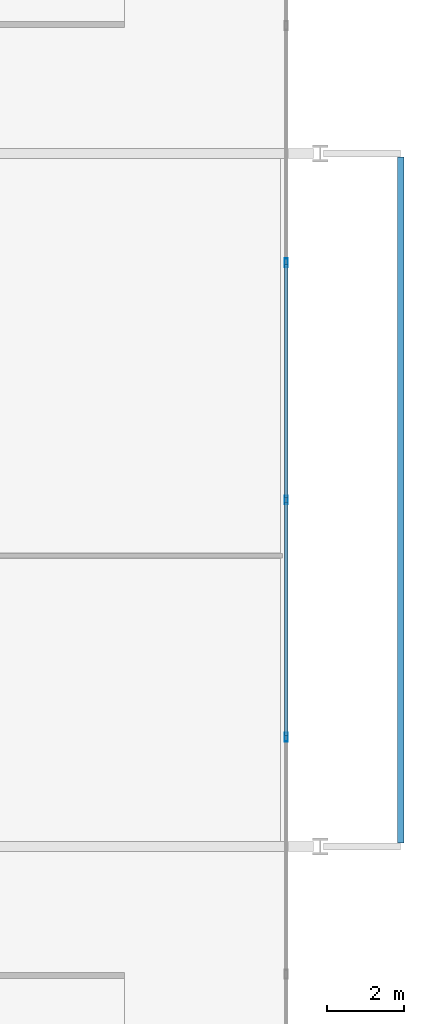
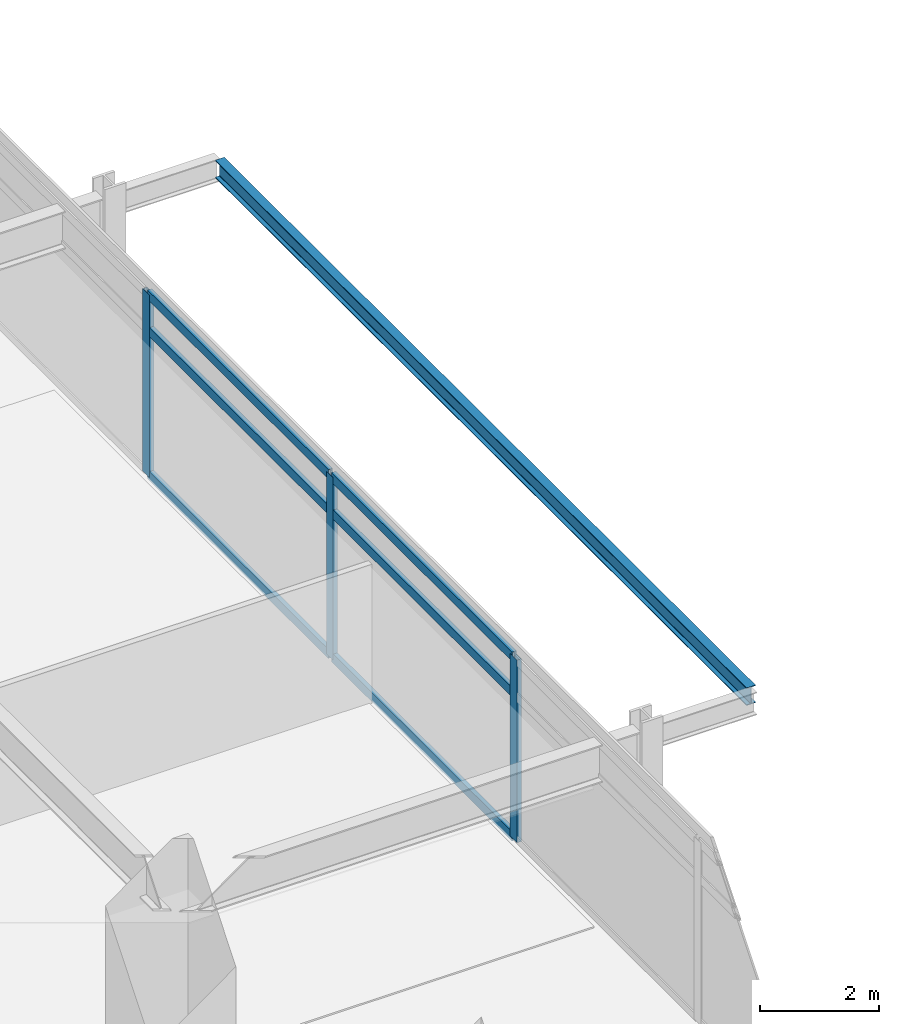
# One storey, part 10 of 23: 9 members, 1 beam, 1 element without a shape of its own.
"""IFC4 building model written with IfcOpenShell, lengths in metres."""

from ifc_helpers import new_model, si_unit, direction, frame, origin, origin_2d, place, context, subcontext, project, spatial, hollow_rectangle, i_section, extrude, material, material_profile, profile_set, type_object, element, aggregate, save


model = new_model("IFC4")

# Units and contexts
model_context = context("Model", 3, precision=1e-05, world=origin(), true_north=direction((0.0, 1.0)))
body_context = subcontext(model_context, "Body", "Model", "MODEL_VIEW")
ifc_project = project(units=[si_unit("LENGTHUNIT", "METRE"), si_unit("AREAUNIT", "SQUARE_METRE"), si_unit("VOLUMEUNIT", "CUBIC_METRE"), si_unit("PLANEANGLEUNIT", "RADIAN"), si_unit("MASSUNIT", "GRAM", prefix="KILO")], contexts=[model_context])

# Site, building, storey
site_placement = place(None, origin())
site = spatial("IfcSite", under=ifc_project, at=site_placement, CompositionType="ELEMENT")
building_placement = place(site_placement, origin())
building = spatial("IfcBuilding", under=site, at=building_placement, Name="Kovane Verandah Tower", CompositionType="ELEMENT")
storey_placement = place(building_placement, frame((0.0, 0.0, 168.39990234375)))
storey = spatial("IfcBuildingStorey", under=building, at=storey_placement, Name="L39", CompositionType="ELEMENT", Elevation=168.39990234375)

# Curtain wall, members
ifc_material_1 = material(Name="Champagne Anodised Aluminium Frame with Low-E Clear Laminated Glass", Category="aluminium")
curtain_wall_type = type_object("IfcCurtainWallType", Name="CW-SYS-03-MID", PredefinedType="NOTDEFINED", material=ifc_material_1)
curtain_wall_placement = place(storey_placement, origin())
curtain_wall = element("IfcCurtainWall", 1, at=curtain_wall_placement, inside=storey, type_object=curtain_wall_type, Name="L39 E Unitised Curtain Wall", PredefinedType="NOTDEFINED")
ifc_material_2 = material(Name="Champagne Anodised Aluminium 6063-T6", Category="aluminium")
ifc_material_profile_1 = material_profile(ifc_material_2, hollow_rectangle(XDim=0.0849609375, YDim=0.22998046875, WallThickness=0.00390625, at=origin_2d()), Name="AL85x230x4")
ifc_profile_set_1 = profile_set([ifc_material_profile_1], Name="Champagne Anodised Aluminium 6063-T6")
member_type_1 = type_object("IfcMemberType", Name="CW-MUL-85x230", PredefinedType="MULLION", material=ifc_profile_set_1)
member_1_placement = place(storey_placement, frame((66.7197265625, 21.33935546875, 0.02001953125), z_axis=(0.0, 0.0, 1.0), x_axis=(1.0, 0.0, 0.0)))
member_1 = element("IfcMember", 2, at=member_1_placement, type_object=member_type_1, Name="L39 E Unitised Curtain Wall Mullion 3", PredefinedType="MULLION", context=body_context, shape_type="SweptSolid", body=[
    extrude(hollow_rectangle(XDim=0.0849609375, YDim=0.22998046875, WallThickness=0.00390625, at=origin_2d()), origin(), (0.0, 0.0, 1.0), 3.735107421875),
])
member_2_placement = place(storey_placement, frame((66.7197265625, 27.5, 0.02001953125), z_axis=(0.0, 0.0, 1.0), x_axis=(1.0, 0.0, 0.0)))
member_2 = element("IfcMember", 3, at=member_2_placement, type_object=member_type_1, Name="L39 E Unitised Curtain Wall Mullion 4", PredefinedType="MULLION", context=body_context, shape_type="SweptSolid", body=[
    extrude(hollow_rectangle(XDim=0.0849609375, YDim=0.22998046875, WallThickness=0.00390625, at=origin_2d()), origin(), (0.0, 0.0, 1.0), 3.735107421875),
])
member_3_placement = place(storey_placement, frame((66.7197265625, 33.66064453125, 0.02001953125), z_axis=(0.0, 0.0, 1.0), x_axis=(1.0, 0.0, 0.0)))
member_3 = element("IfcMember", 4, at=member_3_placement, type_object=member_type_1, Name="L39 E Unitised Curtain Wall Mullion 5", PredefinedType="MULLION", context=body_context, shape_type="SweptSolid", body=[
    extrude(hollow_rectangle(XDim=0.0849609375, YDim=0.22998046875, WallThickness=0.00390625, at=origin_2d()), origin(), (0.0, 0.0, 1.0), 3.735107421875),
])
ifc_material_profile_2 = material_profile(ifc_material_2, hollow_rectangle(XDim=0.0849609375, YDim=0.18994140625, WallThickness=0.00390625, at=origin_2d()), Name="AL85x190x4")
ifc_profile_set_2 = profile_set([ifc_material_profile_2], Name="Champagne Anodised Aluminium 6063-T6")
member_type_2 = type_object("IfcMemberType", Name="CW-TRN-85x190", PredefinedType="USERDEFINED", material=ifc_profile_set_2)
member_4_placement = place(storey_placement, frame((66.7197265625, 21.389404296875, 0.050048828125), z_axis=(0.0, 1.0, 0.0), x_axis=(-1.0, 0.0, 0.0)))
member_4 = element("IfcMember", 5, at=member_4_placement, type_object=member_type_2, Name="L39 E Unitised Curtain Wall Transom TB Bay 3", ObjectType="TRANSOM", PredefinedType="USERDEFINED", context=body_context, shape_type="SweptSolid", body=[
    extrude(hollow_rectangle(XDim=0.0849609375, YDim=0.18994140625, WallThickness=0.00390625, at=origin_2d()), origin(), (0.0, 0.0, 1.0), 6.060546875),
])
member_5_placement = place(storey_placement, frame((66.7197265625, 21.389404296875, 2.9951171875), z_axis=(0.0, 1.0, 0.0), x_axis=(-1.0, 0.0, 0.0)))
member_5 = element("IfcMember", 6, at=member_5_placement, type_object=member_type_2, Name="L39 E Unitised Curtain Wall Transom TM Bay 3", ObjectType="TRANSOM", PredefinedType="USERDEFINED", context=body_context, shape_type="SweptSolid", body=[
    extrude(hollow_rectangle(XDim=0.0849609375, YDim=0.18994140625, WallThickness=0.00390625, at=origin_2d()), origin(), (0.0, 0.0, 1.0), 6.060546875),
])
member_6_placement = place(storey_placement, frame((66.7197265625, 21.389404296875, 3.72509765625), z_axis=(0.0, 1.0, 0.0), x_axis=(-1.0, 0.0, 0.0)))
member_6 = element("IfcMember", 7, at=member_6_placement, type_object=member_type_2, Name="L39 E Unitised Curtain Wall Transom TT Bay 3", ObjectType="TRANSOM", PredefinedType="USERDEFINED", context=body_context, shape_type="SweptSolid", body=[
    extrude(hollow_rectangle(XDim=0.0849609375, YDim=0.18994140625, WallThickness=0.00390625, at=origin_2d()), origin(), (0.0, 0.0, 1.0), 6.060546875),
])
member_7_placement = place(storey_placement, frame((66.7197265625, 27.550048828125, 0.050048828125), z_axis=(0.0, 1.0, 0.0), x_axis=(-1.0, 0.0, 0.0)))
member_7 = element("IfcMember", 8, at=member_7_placement, type_object=member_type_2, Name="L39 E Unitised Curtain Wall Transom TB Bay 4", ObjectType="TRANSOM", PredefinedType="USERDEFINED", context=body_context, shape_type="SweptSolid", body=[
    extrude(hollow_rectangle(XDim=0.0849609375, YDim=0.18994140625, WallThickness=0.00390625, at=origin_2d()), origin(), (0.0, 0.0, 1.0), 6.060546875),
])
member_8_placement = place(storey_placement, frame((66.7197265625, 27.550048828125, 2.9951171875), z_axis=(0.0, 1.0, 0.0), x_axis=(-1.0, 0.0, 0.0)))
member_8 = element("IfcMember", 9, at=member_8_placement, type_object=member_type_2, Name="L39 E Unitised Curtain Wall Transom TM Bay 4", ObjectType="TRANSOM", PredefinedType="USERDEFINED", context=body_context, shape_type="SweptSolid", body=[
    extrude(hollow_rectangle(XDim=0.0849609375, YDim=0.18994140625, WallThickness=0.00390625, at=origin_2d()), origin(), (0.0, 0.0, 1.0), 6.060546875),
])
member_9_placement = place(storey_placement, frame((66.7197265625, 27.550048828125, 3.72509765625), z_axis=(0.0, 1.0, 0.0), x_axis=(-1.0, 0.0, 0.0)))
member_9 = element("IfcMember", 10, at=member_9_placement, type_object=member_type_2, Name="L39 E Unitised Curtain Wall Transom TT Bay 4", ObjectType="TRANSOM", PredefinedType="USERDEFINED", context=body_context, shape_type="SweptSolid", body=[
    extrude(hollow_rectangle(XDim=0.0849609375, YDim=0.18994140625, WallThickness=0.00390625, at=origin_2d()), origin(), (0.0, 0.0, 1.0), 6.060546875),
])
aggregate(curtain_wall, [member_1, member_2, member_3, member_4, member_5, member_6, member_7, member_8, member_9])

# Beam
ifc_material_3 = material(Name="Steel S355", Category="steel")
ifc_material_profile_3 = material_profile(ifc_material_3, i_section(OverallWidth=0.173095703125, OverallDepth=0.36328125, WebThickness=0.009033203125, FlangeThickness=0.015625, FilletRadius=0.01025390625, at=origin_2d()), Name="UB356x171x67")
ifc_profile_set_3 = profile_set([ifc_material_profile_3], Name="Steel S355")
beam_type = type_object("IfcBeamType", Name="SPD-UB356x67", PredefinedType="USERDEFINED", material=ifc_profile_set_3)
beam_placement = place(storey_placement, frame((69.688720703125, 18.594482421875, 3.578369140625), z_axis=(0.0, 1.0, 0.0), x_axis=(-1.0, 0.0, 0.0)))
element("IfcBeam", 11, at=beam_placement, inside=storey, type_object=beam_type, Name="L39 East Planter Edge Spandrel", ObjectType="SPANDREL", PredefinedType="USERDEFINED", context=body_context, shape_type="SweptSolid", body=[
    extrude(i_section(OverallWidth=0.173095703125, OverallDepth=0.36328125, WebThickness=0.009033203125, FlangeThickness=0.015625, FilletRadius=0.01025390625, at=origin_2d()), origin(), (0.0, 0.0, 1.0), 17.81103515625),
])

save(model, "model.ifc")
